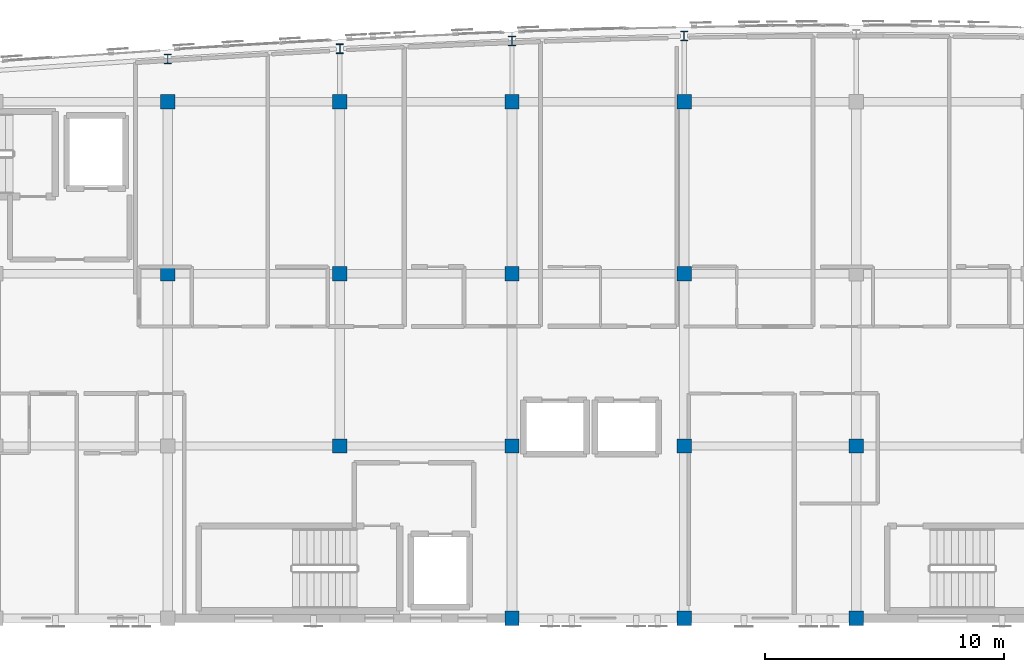
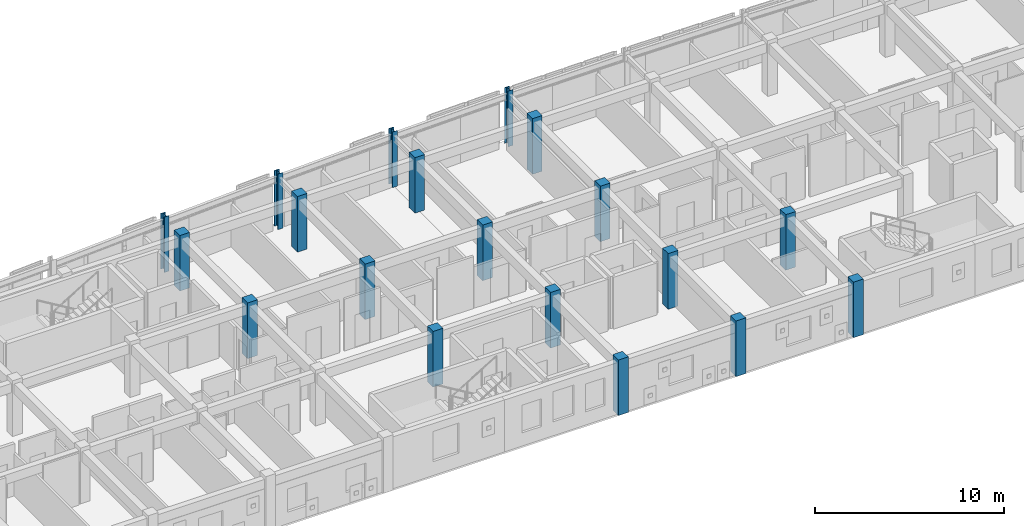
# One storey, part 2 of 51: 19 columns.
"""IFC4 building model written with IfcOpenShell, lengths in metres."""

from ifc_helpers import new_model, si_unit, direction, frame, origin, origin_2d, place, context, subcontext, project, spatial, rectangle, i_section, extrude, material, material_profile, profile_set, type_object, element, save


model = new_model("IFC4")

# Units and contexts
model_context = context("Model", 3, precision=1e-05, world=origin(), true_north=direction((0.0, 1.0)))
body_context = subcontext(model_context, "Body", "Model", "MODEL_VIEW")
ifc_project = project(units=[si_unit("LENGTHUNIT", "METRE"), si_unit("AREAUNIT", "SQUARE_METRE"), si_unit("VOLUMEUNIT", "CUBIC_METRE"), si_unit("PLANEANGLEUNIT", "RADIAN"), si_unit("MASSUNIT", "GRAM", prefix="KILO")], contexts=[model_context])

# Site, building, storey
site_placement = place(None, origin())
site = spatial("IfcSite", under=ifc_project, at=site_placement, CompositionType="ELEMENT")
building_placement = place(site_placement, origin())
building = spatial("IfcBuilding", under=site, at=building_placement, Name="Carrowvane Square Congress Hotel", CompositionType="ELEMENT")
storey_placement = place(building_placement, frame((0.0, 0.0, 30.0)))
storey = spatial("IfcBuildingStorey", under=building, at=storey_placement, Name="L07", CompositionType="ELEMENT", Elevation=30.0)

# Columns
ifc_material_1 = material(Name="Concrete C40/50", Category="concrete")
ifc_material_profile_1 = material_profile(ifc_material_1, rectangle(XDim=0.60009765625, YDim=0.60009765625, at=origin_2d()), Name="RC 600x600")
ifc_profile_set_1 = profile_set([ifc_material_profile_1], Name="Concrete C40/50")
column_type_1 = type_object("IfcColumnType", Name="COL-RC-600", PredefinedType="COLUMN", material=ifc_profile_set_1)
for number, where, z_axis, x_axis, name in (
    (1, (69.199951171875, 106.199951171875, 0.0), (0.0, 0.0, 1.0), (1.0, 0.0, 0.0), "L07 column 9/Q"),
    (2, (69.199951171875, 113.39990234375, 0.0), (0.0, 0.0, 1.0), (1.0, 0.0, 0.0), "L07 column 9/R"),
    (3, (76.39990234375, 99.0, 0.0), (0.0, 0.0, 1.0), (1.0, 0.0, 0.0), "L07 column 10/P"),
    (4, (76.39990234375, 106.199951171875, 0.0), (0.0, 0.0, 1.0), (1.0, 0.0, 0.0), "L07 column 10/Q"),
    (5, (76.39990234375, 113.39990234375, 0.0), (0.0, 0.0, 1.0), (1.0, 0.0, 0.0), "L07 column 10/R"),
    (6, (83.60009765625, 91.800048828125, 0.0), (0.0, 0.0, 1.0), (1.0, 0.0, 0.0), "L07 column 11/N"),
    (7, (83.60009765625, 99.0, 0.0), (0.0, 0.0, 1.0), (1.0, 0.0, 0.0), "L07 column 11/P"),
    (8, (83.60009765625, 106.199951171875, 0.0), (0.0, 0.0, 1.0), (1.0, 0.0, 0.0), "L07 column 11/Q"),
    (9, (83.60009765625, 113.39990234375, 0.0), (0.0, 0.0, 1.0), (1.0, 0.0, 0.0), "L07 column 11/R"),
    (10, (90.800048828125, 91.800048828125, 0.0), (0.0, 0.0, 1.0), (1.0, 0.0, 0.0), "L07 column 12/N"),
    (11, (90.800048828125, 99.0, 0.0), (0.0, 0.0, 1.0), (1.0, 0.0, 0.0), "L07 column 12/P"),
    (12, (90.800048828125, 106.199951171875, 0.0), (0.0, 0.0, 1.0), (1.0, 0.0, 0.0), "L07 column 12/Q"),
    (13, (90.800048828125, 113.39990234375, 0.0), (0.0, 0.0, 1.0), (1.0, 0.0, 0.0), "L07 column 12/R"),
    (14, (98.0, 91.800048828125, 0.0), (0.0, 0.0, 1.0), (1.0, 0.0, 0.0), "L07 column 13/N"),
    (15, (98.0, 99.0, 0.0), (0.0, 0.0, 1.0), (1.0, 0.0, 0.0), "L07 column 13/P"),
):
    element("IfcColumn", number, at=place(storey_placement, frame(where, z_axis=z_axis, x_axis=x_axis)), inside=storey, type_object=column_type_1, Name=name, PredefinedType="COLUMN", context=body_context, shape_type="SweptSolid", body=[
        extrude(rectangle(XDim=0.60009765625, YDim=0.60009765625, at=origin_2d()), origin(), (0.0, 0.0, 1.0), 3.60009765625),
    ])
ifc_material_2 = material(Name="Steel S355", Category="steel")
ifc_material_profile_2 = material_profile(ifc_material_2, i_section(OverallWidth=0.300048828125, OverallDepth=0.39990234375, WebThickness=0.013427734375, FlangeThickness=0.02392578125, FilletRadius=0.027099609375, at=origin_2d()), Name="HEB 400")
ifc_profile_set_2 = profile_set([ifc_material_profile_2], Name="Steel S355")
column_type_2 = type_object("IfcColumnType", Name="COL-ST-HEB400", PredefinedType="COLUMN", material=ifc_profile_set_2)
for number, where, z_axis, x_axis, name in (
    (16, (69.199951171875, 115.1943359375, 0.0), (0.0, 0.0, 1.0), (1.0, 0.0, 0.0), "L07 column 9/ARC"),
    (17, (76.39990234375, 115.61767578125, 0.0), (0.0, 0.0, 1.0), (1.0, 0.0, 0.0), "L07 column 10/ARC"),
    (18, (83.60009765625, 115.944091796875, 0.0), (0.0, 0.0, 1.0), (1.0, 0.0, 0.0), "L07 column 11/ARC"),
    (19, (90.800048828125, 116.14990234375, 0.0), (0.0, 0.0, 1.0), (1.0, 0.0, 0.0), "L07 column 12/ARC"),
):
    element("IfcColumn", number, at=place(storey_placement, frame(where, z_axis=z_axis, x_axis=x_axis)), inside=storey, type_object=column_type_2, Name=name, PredefinedType="COLUMN", context=body_context, shape_type="SweptSolid", body=[
        extrude(i_section(OverallWidth=0.300048828125, OverallDepth=0.39990234375, WebThickness=0.013427734375, FlangeThickness=0.02392578125, FilletRadius=0.027099609375, at=origin_2d()), origin(), (0.0, 0.0, 1.0), 3.60009765625),
    ])

save(model, "model.ifc")
